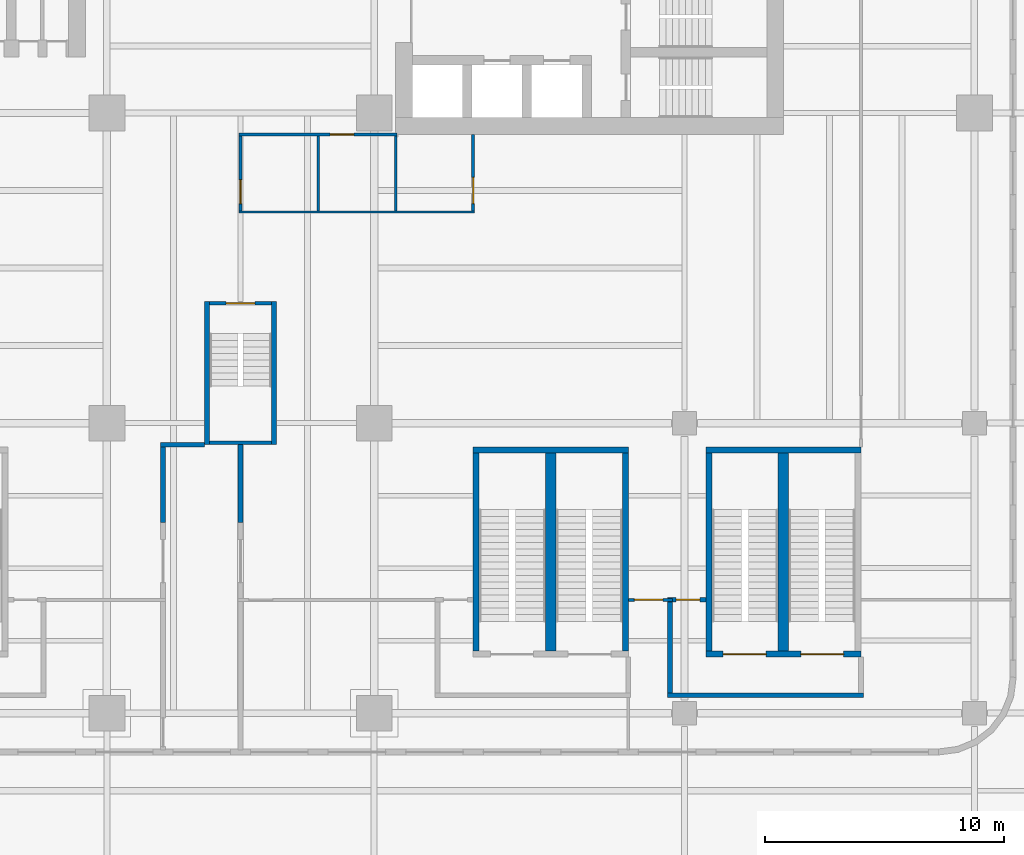
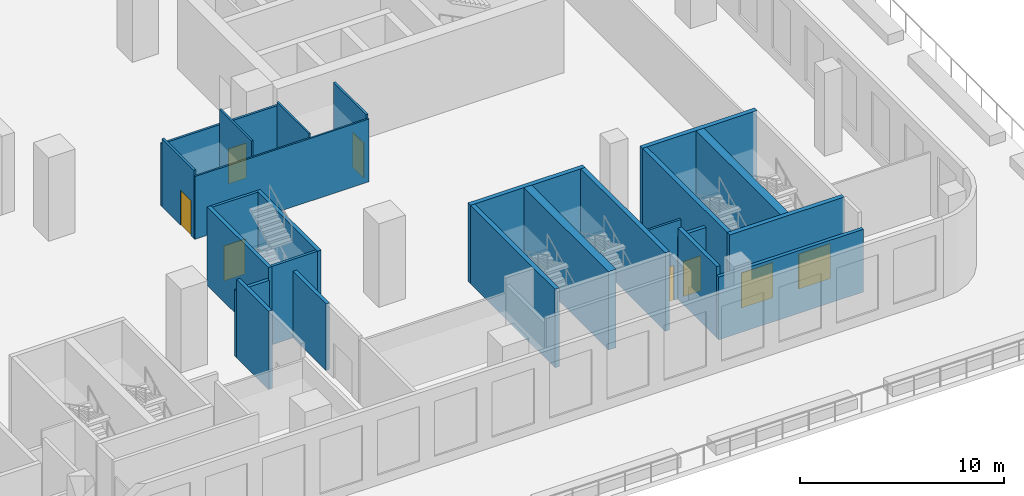
# One storey, part 7 of 17: 25 walls, 8 doors, 8 openings.
"""IFC4 building model written with IfcOpenShell, lengths in metres."""

from ifc_helpers import new_model, si_unit, direction, frame, frame_2d, origin, place, context, subcontext, project, spatial, rectangle, extrude, source, transform, mapped, material, layer, layer_set, type_object, element, fill, save


model = new_model("IFC4")

# Units and contexts
model_context = context("Model", 3, precision=1e-05, world=origin(), true_north=direction((0.0, 1.0)))
body_context = subcontext(model_context, "Body", "Model", "MODEL_VIEW")
ifc_project = project(units=[si_unit("LENGTHUNIT", "METRE"), si_unit("AREAUNIT", "SQUARE_METRE"), si_unit("VOLUMEUNIT", "CUBIC_METRE"), si_unit("PLANEANGLEUNIT", "RADIAN"), si_unit("MASSUNIT", "GRAM", prefix="KILO")], contexts=[model_context])

# Site, building, storey
site_placement = place(None, origin())
site = spatial("IfcSite", under=ifc_project, at=site_placement, CompositionType="ELEMENT")
building_placement = place(site_placement, origin())
building = spatial("IfcBuilding", under=site, at=building_placement, Name="Trellis Farm Tower", CompositionType="ELEMENT")
storey_placement = place(building_placement, frame((0.0, 0.0, 24.0)))
storey = spatial("IfcBuildingStorey", under=building, at=storey_placement, Name="L04", CompositionType="ELEMENT", Elevation=24.0)

# Walls
ifc_material_1 = material(Name="Concrete C80/95", Category="concrete")
ifc_layer_1 = layer(ifc_material_1, 0.199951171875)
ifc_layer_set_1 = layer_set([ifc_layer_1], Name="CORE STAIR ENCLOSURE WALL 200 CONCRETE C80/95")
wall_type_1 = type_object("IfcWallType", Name="CORE STAIR ENCLOSURE WALL 200 CONCRETE C80/95", PredefinedType="SHEAR", material=ifc_layer_set_1)
shared_shape_1 = source(origin(), body_context, "Body", "SweptSolid", [
    extrude(rectangle(XDim=6.0, YDim=0.199951171875, at=frame_2d((3.0, 0.0))), origin(), (0.0, 0.0, 1.0), 4.699951171875),
])
for number, where, z_axis, x_axis, name in (
    (1, (1.39990234375, -13.5, 0.0), (0.0, 0.0, 1.0), (0.0, -1.0, 0.0), "Stair enclosure wall"),
    (2, (-1.39990234375, -13.5, 0.0), (0.0, 0.0, 1.0), (0.0, -1.0, 0.0), "Stair enclosure wall"),
):
    element("IfcWall", number, at=place(storey_placement, frame(where, z_axis=z_axis, x_axis=x_axis)), inside=storey, type_object=wall_type_1, Name=name, PredefinedType="SHEAR", context=body_context, shape_type="MappedRepresentation", body=[
        mapped(shared_shape_1, transform((0.0, 0.0, 0.0))),
    ])

# Wall, opening, door
ifc_layer_2 = layer(ifc_material_1, 0.14990234375)
ifc_layer_set_2 = layer_set([ifc_layer_2], Name="CORE STAIR ENCLOSURE WALL 150 CONCRETE C80/95")
wall_type_2 = type_object("IfcWallType", Name="CORE STAIR ENCLOSURE WALL 150 CONCRETE C80/95", PredefinedType="SHEAR", material=ifc_layer_set_2)
shared_shape_2 = source(origin(), body_context, "Body", "SweptSolid", [
    extrude(rectangle(XDim=2.60009765625, YDim=0.14990234375, at=frame_2d((1.300048828125, 0.0))), origin(), (0.0, 0.0, 1.0), 4.699951171875),
])
wall_1_placement = place(storey_placement, frame((1.300048828125, -13.574951171875, 0.0), z_axis=(0.0, 0.0, 1.0), x_axis=(-1.0, 0.0, 0.0)))
wall_1 = element("IfcWall", 3, at=wall_1_placement, inside=storey, type_object=wall_type_2, Name="Stair enclosure wall", PredefinedType="SHEAR", context=body_context, shape_type="MappedRepresentation", body=[
    mapped(shared_shape_2, transform((0.0, 0.0, 0.0))),
])
shared_shape_3 = source(origin(), body_context, "Body", "SweptSolid", [
    extrude(rectangle(XDim=1.199951171875, YDim=2.10009765625, at=frame_2d((0.60009765625, 1.050048828125))), frame((0.0, 0.0849609375, 0.0), z_axis=(0.0, -1.0, 0.0), x_axis=(1.0, 0.0, 0.0)), (0.0, 0.0, 1.0), 0.169921875),
])
opening_1_placement = place(wall_1_placement, frame((0.699951171875, 0.0, 0.0)))
opening_1 = element("IfcOpeningElement", 4, at=opening_1_placement, cuts=wall_1, Name="Opening DC174", PredefinedType="OPENING", context=body_context, shape_type="MappedRepresentation", body=[
    mapped(shared_shape_3, transform((0.0, 0.0, 0.0))),
])
ifc_material_2 = material(Name="Steel", Category="steel")
door_type_1 = type_object("IfcDoorType", Name="CORE FIRE DOOR 1200 X 2100", OperationType="NOTDEFINED", PredefinedType="DOOR", material=ifc_material_2)
shared_shape_4 = source(origin(), body_context, "Body", "SweptSolid", [
    extrude(rectangle(XDim=1.199951171875, YDim=2.10009765625, at=frame_2d((0.60009765625, 1.050048828125))), frame((0.0, 0.02490234375, 0.0), z_axis=(0.0, -1.0, 0.0), x_axis=(1.0, 0.0, 0.0)), (0.0, 0.0, 1.0), 0.050048828125),
])
door_1_placement = place(opening_1_placement, origin())
door_1 = element("IfcDoor", 5, at=door_1_placement, inside=storey, type_object=door_type_1, Name="Core door", OperationType="SINGLE_SWING_RIGHT", OverallHeight=2.10009765625, OverallWidth=1.199951171875, PredefinedType="DOOR", context=body_context, shape_type="MappedRepresentation", body=[
    mapped(shared_shape_4, transform((0.0, 0.0, 0.0))),
])
fill(opening_1, door_1)

# Walls
wall_2_placement = place(storey_placement, frame((1.300048828125, -19.425048828125, 0.0), z_axis=(0.0, 0.0, 1.0), x_axis=(-1.0, 0.0, 0.0)))
element("IfcWall", 6, at=wall_2_placement, inside=storey, type_object=wall_type_2, Name="Stair enclosure wall", PredefinedType="SHEAR", context=body_context, shape_type="MappedRepresentation", body=[
    mapped(shared_shape_2, transform((0.0, 0.0, 0.0))),
])
ifc_layer_3 = layer(ifc_material_1, 0.25)
ifc_layer_set_3 = layer_set([ifc_layer_3], Name="CORE STAIR ENCLOSURE WALL 250 CONCRETE C80/95")
wall_type_3 = type_object("IfcWallType", Name="CORE STAIR ENCLOSURE WALL 250 CONCRETE C80/95", PredefinedType="SHEAR", material=ifc_layer_set_3)
shared_shape_5 = source(origin(), body_context, "Body", "SweptSolid", [
    extrude(rectangle(XDim=6.5, YDim=0.25, at=frame_2d((3.25, 0.0))), origin(), (0.0, 0.0, 1.0), 4.699951171875),
])
wall_3_placement = place(storey_placement, frame((9.75, -19.72509765625, 0.0), z_axis=(0.0, 0.0, 1.0), x_axis=(1.0, 0.0, 0.0)))
element("IfcWall", 7, at=wall_3_placement, inside=storey, type_object=wall_type_3, Name="Podium stair enclosure wall", PredefinedType="SHEAR", context=body_context, shape_type="MappedRepresentation", body=[
    mapped(shared_shape_5, transform((0.0, 0.0, 0.0))),
])

# Wall, openings, doors
wall_4_placement = place(storey_placement, frame((19.5, -28.27490234375, 0.0), z_axis=(0.0, 0.0, 1.0), x_axis=(1.0, 0.0, 0.0)))
wall_4 = element("IfcWall", 8, at=wall_4_placement, inside=storey, type_object=wall_type_3, Name="Podium stair enclosure wall", PredefinedType="SHEAR", context=body_context, shape_type="MappedRepresentation", body=[
    mapped(shared_shape_5, transform((0.0, 0.0, 0.0))),
])
shared_shape_6 = source(origin(), body_context, "Body", "SweptSolid", [
    extrude(rectangle(XDim=1.800048828125, YDim=2.10009765625, at=frame_2d((0.89990234375, 1.050048828125))), frame((0.0, 0.135009765625, 0.0), z_axis=(0.0, -1.0, 0.0), x_axis=(1.0, 0.0, 0.0)), (0.0, 0.0, 1.0), 0.27001953125),
])
opening_2_placement = place(wall_4_placement, frame((0.72509765625, 0.0, 0.0)))
opening_2 = element("IfcOpeningElement", 9, at=opening_2_placement, cuts=wall_4, Name="Opening DP15", PredefinedType="OPENING", context=body_context, shape_type="MappedRepresentation", body=[
    mapped(shared_shape_6, transform((0.0, 0.0, 0.0))),
])
opening_3_placement = place(wall_4_placement, frame((3.97509765625, 0.0, 0.0)))
opening_3 = element("IfcOpeningElement", 10, at=opening_3_placement, cuts=wall_4, Name="Opening DP16", PredefinedType="OPENING", context=body_context, shape_type="MappedRepresentation", body=[
    mapped(shared_shape_6, transform((0.0, 0.0, 0.0))),
])
door_type_2 = type_object("IfcDoorType", Name="CORE FIRE DOOR DOUBLE 1800 X 2100", OperationType="DOUBLE_DOOR_SINGLE_SWING", PredefinedType="DOOR", material=ifc_material_2)
shared_shape_7 = source(origin(), body_context, "Body", "SweptSolid", [
    extrude(rectangle(XDim=1.800048828125, YDim=2.10009765625, at=frame_2d((0.89990234375, 1.050048828125))), frame((0.0, 0.02490234375, 0.0), z_axis=(0.0, -1.0, 0.0), x_axis=(1.0, 0.0, 0.0)), (0.0, 0.0, 1.0), 0.050048828125),
])
door_2_placement = place(opening_2_placement, origin())
door_2 = element("IfcDoor", 11, at=door_2_placement, inside=storey, type_object=door_type_2, Name="Podium stair door", OperationType="DOUBLE_DOOR_SINGLE_SWING", OverallHeight=2.10009765625, OverallWidth=1.800048828125, PredefinedType="DOOR", context=body_context, shape_type="MappedRepresentation", body=[
    mapped(shared_shape_7, transform((0.0, 0.0, 0.0))),
])
fill(opening_2, door_2)
door_3_placement = place(opening_3_placement, origin())
door_3 = element("IfcDoor", 12, at=door_3_placement, inside=storey, type_object=door_type_2, Name="Podium stair door", OperationType="DOUBLE_DOOR_SINGLE_SWING", OverallHeight=2.10009765625, OverallWidth=1.800048828125, PredefinedType="DOOR", context=body_context, shape_type="MappedRepresentation", body=[
    mapped(shared_shape_7, transform((0.0, 0.0, 0.0))),
])
fill(opening_3, door_3)

# Walls
wall_5_placement = place(storey_placement, frame((19.5, -19.72509765625, 0.0), z_axis=(0.0, 0.0, 1.0), x_axis=(1.0, 0.0, 0.0)))
element("IfcWall", 13, at=wall_5_placement, inside=storey, type_object=wall_type_3, Name="Podium stair enclosure wall", PredefinedType="SHEAR", context=body_context, shape_type="MappedRepresentation", body=[
    mapped(shared_shape_5, transform((0.0, 0.0, 0.0))),
])
shared_shape_8 = source(origin(), body_context, "Body", "SweptSolid", [
    extrude(rectangle(XDim=8.2998046875, YDim=0.25, at=frame_2d((4.14990234375, 0.0))), origin(), (0.0, 0.0, 1.0), 4.699951171875),
])
for number, where, z_axis, x_axis, name in (
    (14, (9.875, -28.14990234375, 0.0), (0.0, 0.0, 1.0), (0.0, 1.0, 0.0), "Podium stair enclosure wall"),
    (15, (16.125, -28.14990234375, 0.0), (0.0, 0.0, 1.0), (0.0, 1.0, 0.0), "Podium stair enclosure wall"),
    (16, (19.625, -28.14990234375, 0.0), (0.0, 0.0, 1.0), (0.0, 1.0, 0.0), "Podium stair enclosure wall"),
):
    element("IfcWall", number, at=place(storey_placement, frame(where, z_axis=z_axis, x_axis=x_axis)), inside=storey, type_object=wall_type_3, Name=name, PredefinedType="SHEAR", context=body_context, shape_type="MappedRepresentation", body=[
        mapped(shared_shape_8, transform((0.0, 0.0, 0.0))),
    ])
ifc_layer_4 = layer(ifc_material_1, 0.43994140625)
ifc_layer_set_4 = layer_set([ifc_layer_4], Name="CORE STAIR ENCLOSURE WALL 440 CONCRETE C80/95")
wall_type_4 = type_object("IfcWallType", Name="CORE STAIR ENCLOSURE WALL 440 CONCRETE C80/95", PredefinedType="SHEAR", material=ifc_layer_set_4)
shared_shape_9 = source(origin(), body_context, "Body", "SweptSolid", [
    extrude(rectangle(XDim=8.2998046875, YDim=0.43994140625, at=frame_2d((4.14990234375, 0.0))), origin(), (0.0, 0.0, 1.0), 4.699951171875),
])
for number, where, z_axis, x_axis, name in (
    (17, (13.0, -28.14990234375, 0.0), (0.0, 0.0, 1.0), (0.0, 1.0, 0.0), "Podium stair enclosure wall"),
    (18, (22.75, -28.14990234375, 0.0), (0.0, 0.0, 1.0), (0.0, 1.0, 0.0), "Podium stair enclosure wall"),
):
    element("IfcWall", number, at=place(storey_placement, frame(where, z_axis=z_axis, x_axis=x_axis)), inside=storey, type_object=wall_type_4, Name=name, PredefinedType="SHEAR", context=body_context, shape_type="MappedRepresentation", body=[
        mapped(shared_shape_9, transform((0.0, 0.0, 0.0))),
    ])
ifc_material_3 = material(Name="Lightweight blockwork, plastered", Category="masonry")
ifc_layer_5 = layer(ifc_material_3, 0.199951171875)
ifc_layer_set_5 = layer_set([ifc_layer_5], Name="BLOCK WALL 200 EI 120")
wall_type_5 = type_object("IfcWallType", Name="BLOCK WALL 200 EI 120", PredefinedType="PARTITIONING", material=ifc_layer_set_5)
shared_shape_10 = source(origin(), body_context, "Body", "SweptSolid", [
    extrude(rectangle(XDim=8.2001953125, YDim=0.199951171875, at=frame_2d((4.10009765625, 0.0))), origin(), (0.0, 0.0, 1.0), 3.76171875),
])
wall_6_placement = place(storey_placement, frame((17.89990234375, -30.0, 0.0), z_axis=(0.0, 0.0, 1.0), x_axis=(1.0, 0.0, 0.0)))
element("IfcWall", 19, at=wall_6_placement, inside=storey, type_object=wall_type_5, Name="Partition PW3", PredefinedType="PARTITIONING", context=body_context, shape_type="MappedRepresentation", body=[
    mapped(shared_shape_10, transform((0.0, 0.0, 0.0))),
])

# Wall, opening, door
shared_shape_11 = source(origin(), body_context, "Body", "SweptSolid", [
    extrude(rectangle(XDim=1.60009765625, YDim=0.199951171875, at=frame_2d((0.800048828125, 0.0))), origin(), (0.0, 0.0, 1.0), 3.76171875),
])
wall_7_placement = place(storey_placement, frame((17.89990234375, -26.0, 0.0), z_axis=(0.0, 0.0, 1.0), x_axis=(1.0, 0.0, 0.0)))
wall_7 = element("IfcWall", 20, at=wall_7_placement, inside=storey, type_object=wall_type_5, Name="Partition PW3", PredefinedType="PARTITIONING", context=body_context, shape_type="MappedRepresentation", body=[
    mapped(shared_shape_11, transform((0.0, 0.0, 0.0))),
])
shared_shape_12 = source(origin(), body_context, "Body", "SweptSolid", [
    extrude(rectangle(XDim=1.0, YDim=2.10009765625, at=frame_2d((0.5, 1.050048828125))), frame((0.0, 0.110107421875, 0.0), z_axis=(0.0, -1.0, 0.0), x_axis=(1.0, 0.0, 0.0)), (0.0, 0.0, 1.0), 0.22021484375),
])
opening_4_placement = place(wall_7_placement, frame((0.35009765625, 0.0, 0.0)))
opening_4 = element("IfcOpeningElement", 21, at=opening_4_placement, cuts=wall_7, Name="Opening D304", PredefinedType="OPENING", context=body_context, shape_type="MappedRepresentation", body=[
    mapped(shared_shape_12, transform((0.0, 0.0, 0.0))),
])
ifc_material_4 = material(Name="Fire-rated timber door leaf in a hollow metal frame", Category="wood")
door_type_3 = type_object("IfcDoorType", Name="DOOR 1000x2100 FD60", OperationType="NOTDEFINED", PredefinedType="DOOR", material=ifc_material_4)
shared_shape_13 = source(origin(), body_context, "Body", "SweptSolid", [
    extrude(rectangle(XDim=1.0, YDim=2.10009765625, at=frame_2d((0.5, 1.050048828125))), frame((0.0, 0.02490234375, 0.0), z_axis=(0.0, -1.0, 0.0), x_axis=(1.0, 0.0, 0.0)), (0.0, 0.0, 1.0), 0.050048828125),
])
door_4_placement = place(opening_4_placement, origin())
door_4 = element("IfcDoor", 22, at=door_4_placement, inside=storey, type_object=door_type_3, Name="Door D304", OperationType="SINGLE_SWING_LEFT", OverallHeight=2.10009765625, OverallWidth=1.0, PredefinedType="DOOR", context=body_context, shape_type="MappedRepresentation", body=[
    mapped(shared_shape_13, transform((0.0, 0.0, 0.0))),
])
fill(opening_4, door_4)

# Wall
shared_shape_14 = source(origin(), body_context, "Body", "SweptSolid", [
    extrude(rectangle(XDim=1.85009765625, YDim=0.199951171875, at=frame_2d((0.925048828125, 0.0))), origin(), (0.0, 0.0, 1.0), 3.996337890625),
])
wall_8_placement = place(storey_placement, frame((-3.35009765625, -19.5, 0.0), z_axis=(0.0, 0.0, 1.0), x_axis=(1.0, 0.0, 0.0)))
element("IfcWall", 23, at=wall_8_placement, inside=storey, type_object=wall_type_5, Name="Partition PW3", PredefinedType="PARTITIONING", context=body_context, shape_type="MappedRepresentation", body=[
    mapped(shared_shape_14, transform((0.0, 0.0, 0.0))),
])

# Wall, opening, door
ifc_material_5 = material(Name="Plasterboard on steel studs, mineral wool", Category="steel")
ifc_layer_6 = layer(ifc_material_5, 0.125)
ifc_layer_set_6 = layer_set([ifc_layer_6], Name="PARTITION 125 STUD EI 60")
wall_type_6 = type_object("IfcWallType", Name="PARTITION 125 STUD EI 60", PredefinedType="PARTITIONING", material=ifc_layer_set_6)
shared_shape_15 = source(origin(), body_context, "Body", "SweptSolid", [
    extrude(rectangle(XDim=3.137451171875, YDim=0.125, at=frame_2d((1.56884765625, 0.0))), origin(), (0.0, 0.0, 1.0), 4.077392578125),
])
wall_9_placement = place(storey_placement, frame((0.0, -6.5625, 0.0), z_axis=(0.0, 0.0, 1.0), x_axis=(0.0, -1.0, 0.0)))
wall_9 = element("IfcWall", 24, at=wall_9_placement, inside=storey, type_object=wall_type_6, Name="Partition PW1", PredefinedType="PARTITIONING", context=body_context, shape_type="MappedRepresentation", body=[
    mapped(shared_shape_15, transform((0.0, 0.0, 0.0))),
])
shared_shape_16 = source(origin(), body_context, "Body", "SweptSolid", [
    extrude(rectangle(XDim=1.0, YDim=2.10009765625, at=frame_2d((0.5, 1.050048828125))), frame((0.0, 0.072509765625, 0.0), z_axis=(0.0, -1.0, 0.0), x_axis=(1.0, 0.0, 0.0)), (0.0, 0.0, 1.0), 0.14501953125),
])
opening_5_placement = place(wall_9_placement, frame((1.83740234375, 0.0, 0.0)))
opening_5 = element("IfcOpeningElement", 25, at=opening_5_placement, cuts=wall_9, Name="Opening D102", PredefinedType="OPENING", context=body_context, shape_type="MappedRepresentation", body=[
    mapped(shared_shape_16, transform((0.0, 0.0, 0.0))),
])
door_type_4 = type_object("IfcDoorType", Name="DOOR 1000x2100 FD30S", OperationType="NOTDEFINED", PredefinedType="DOOR", material=ifc_material_4)
door_5_placement = place(opening_5_placement, origin())
door_5 = element("IfcDoor", 26, at=door_5_placement, inside=storey, type_object=door_type_4, Name="Door D102", OperationType="SINGLE_SWING_RIGHT", OverallHeight=2.10009765625, OverallWidth=1.0, PredefinedType="DOOR", context=body_context, shape_type="MappedRepresentation", body=[
    mapped(shared_shape_13, transform((0.0, 0.0, 0.0))),
])
fill(opening_5, door_5)

# Walls
ifc_material_6 = material(Name="Plasterboard on steel studs", Category="steel")
ifc_layer_7 = layer(ifc_material_6, 0.10009765625)
ifc_layer_set_7 = layer_set([ifc_layer_7], Name="PARTITION 100 STUD EI 30")
wall_type_7 = type_object("IfcWallType", Name="PARTITION 100 STUD EI 30", PredefinedType="PARTITIONING", material=ifc_layer_set_7)
shared_shape_17 = source(origin(), body_context, "Body", "SweptSolid", [
    extrude(rectangle(XDim=3.137451171875, YDim=0.10009765625, at=frame_2d((1.56884765625, 0.0))), origin(), (0.0, 0.0, 1.0), 4.699951171875),
])
wall_10_placement = place(storey_placement, frame((3.25, -9.699951171875, 0.0), z_axis=(0.0, 0.0, 1.0), x_axis=(0.0, 1.0, 0.0)))
element("IfcWall", 27, at=wall_10_placement, inside=storey, type_object=wall_type_7, Name="Partition PW2", PredefinedType="PARTITIONING", context=body_context, shape_type="MappedRepresentation", body=[
    mapped(shared_shape_17, transform((0.0, 0.0, 0.0))),
])
shared_shape_18 = source(origin(), body_context, "Body", "SweptSolid", [
    extrude(rectangle(XDim=3.137451171875, YDim=0.10009765625, at=frame_2d((1.56884765625, 0.0))), origin(), (0.0, 0.0, 1.0), 3.996337890625),
])
wall_11_placement = place(storey_placement, frame((6.5, -9.699951171875, 0.0), z_axis=(0.0, 0.0, 1.0), x_axis=(0.0, 1.0, 0.0)))
element("IfcWall", 28, at=wall_11_placement, inside=storey, type_object=wall_type_7, Name="Partition PW2", PredefinedType="PARTITIONING", context=body_context, shape_type="MappedRepresentation", body=[
    mapped(shared_shape_18, transform((0.0, 0.0, 0.0))),
])

# Wall, opening, door
shared_shape_19 = source(origin(), body_context, "Body", "SweptSolid", [
    extrude(rectangle(XDim=3.199951171875, YDim=0.125, at=frame_2d((1.60009765625, 0.0))), origin(), (0.0, 0.0, 1.0), 3.996337890625),
])
wall_12_placement = place(storey_placement, frame((9.75, -9.699951171875, 0.0), z_axis=(0.0, 0.0, 1.0), x_axis=(0.0, 1.0, 0.0)))
wall_12 = element("IfcWall", 29, at=wall_12_placement, inside=storey, type_object=wall_type_6, Name="Partition PW1", PredefinedType="PARTITIONING", context=body_context, shape_type="MappedRepresentation", body=[
    mapped(shared_shape_19, transform((0.0, 0.0, 0.0))),
])
shared_shape_20 = source(origin(), body_context, "Body", "SweptSolid", [
    extrude(rectangle(XDim=1.10009765625, YDim=2.10009765625, at=frame_2d((0.550048828125, 1.050048828125))), frame((0.0, 0.072509765625, 0.0), z_axis=(0.0, -1.0, 0.0), x_axis=(1.0, 0.0, 0.0)), (0.0, 0.0, 1.0), 0.14501953125),
])
opening_6_placement = place(wall_12_placement, frame((0.300048828125, 0.0, 0.0)))
opening_6 = element("IfcOpeningElement", 30, at=opening_6_placement, cuts=wall_12, Name="Opening D501", PredefinedType="OPENING", context=body_context, shape_type="MappedRepresentation", body=[
    mapped(shared_shape_20, transform((0.0, 0.0, 0.0))),
])
door_type_5 = type_object("IfcDoorType", Name="DOOR 1100x2100 FD30S", OperationType="NOTDEFINED", PredefinedType="DOOR", material=ifc_material_4)
shared_shape_21 = source(origin(), body_context, "Body", "SweptSolid", [
    extrude(rectangle(XDim=1.10009765625, YDim=2.10009765625, at=frame_2d((0.550048828125, 1.050048828125))), frame((0.0, 0.02490234375, 0.0), z_axis=(0.0, -1.0, 0.0), x_axis=(1.0, 0.0, 0.0)), (0.0, 0.0, 1.0), 0.050048828125),
])
door_6_placement = place(opening_6_placement, origin())
door_6 = element("IfcDoor", 31, at=door_6_placement, inside=storey, type_object=door_type_5, Name="Door D501", OperationType="SINGLE_SWING_LEFT", OverallHeight=2.10009765625, OverallWidth=1.10009765625, PredefinedType="DOOR", context=body_context, shape_type="MappedRepresentation", body=[
    mapped(shared_shape_21, transform((0.0, 0.0, 0.0))),
])
fill(opening_6, door_6)

# Wall
shared_shape_22 = source(origin(), body_context, "Body", "SweptSolid", [
    extrude(rectangle(XDim=9.875, YDim=0.10009765625, at=frame_2d((4.9375, 0.0))), origin(), (0.0, 0.0, 1.0), 3.76171875),
])
wall_13_placement = place(storey_placement, frame((-0.0625, -9.75, 0.0), z_axis=(0.0, 0.0, 1.0), x_axis=(1.0, 0.0, 0.0)))
element("IfcWall", 32, at=wall_13_placement, inside=storey, type_object=wall_type_7, Name="Partition PW2", PredefinedType="PARTITIONING", context=body_context, shape_type="MappedRepresentation", body=[
    mapped(shared_shape_22, transform((0.0, 0.0, 0.0))),
])

# Wall, opening, door
shared_shape_23 = source(origin(), body_context, "Body", "SweptSolid", [
    extrude(rectangle(XDim=6.612548828125, YDim=0.125, at=frame_2d((3.30615234375, 0.0))), origin(), (0.0, 0.0, 1.0), 3.76171875),
])
wall_14_placement = place(storey_placement, frame((6.550048828125, -6.5, 0.0), z_axis=(0.0, 0.0, 1.0), x_axis=(-1.0, 0.0, 0.0)))
wall_14 = element("IfcWall", 33, at=wall_14_placement, inside=storey, type_object=wall_type_6, Name="Partition PW1", PredefinedType="PARTITIONING", context=body_context, shape_type="MappedRepresentation", body=[
    mapped(shared_shape_23, transform((0.0, 0.0, 0.0))),
])
opening_7_placement = place(wall_14_placement, frame((1.800048828125, 0.0, 0.0)))
opening_7 = element("IfcOpeningElement", 34, at=opening_7_placement, cuts=wall_14, Name="Opening D103", PredefinedType="OPENING", context=body_context, shape_type="MappedRepresentation", body=[
    mapped(shared_shape_16, transform((0.0, 0.0, 0.0))),
])
door_7_placement = place(opening_7_placement, origin())
door_7 = element("IfcDoor", 35, at=door_7_placement, inside=storey, type_object=door_type_4, Name="Door D103", OperationType="SINGLE_SWING_LEFT", OverallHeight=2.10009765625, OverallWidth=1.0, PredefinedType="DOOR", context=body_context, shape_type="MappedRepresentation", body=[
    mapped(shared_shape_13, transform((0.0, 0.0, 0.0))),
])
fill(opening_7, door_7)

# Walls
shared_shape_24 = source(origin(), body_context, "Body", "SweptSolid", [
    extrude(rectangle(XDim=3.7998046875, YDim=0.199951171875, at=frame_2d((1.89990234375, 0.0))), origin(), (0.0, 0.0, 1.0), 4.273681640625),
])
wall_15_placement = place(storey_placement, frame((18.0, -26.10009765625, 0.0), z_axis=(0.0, 0.0, 1.0), x_axis=(0.0, -1.0, 0.0)))
element("IfcWall", 36, at=wall_15_placement, inside=storey, type_object=wall_type_5, Name="Partition PW3", PredefinedType="PARTITIONING", context=body_context, shape_type="MappedRepresentation", body=[
    mapped(shared_shape_24, transform((0.0, 0.0, 0.0))),
])
shared_shape_25 = source(origin(), body_context, "Body", "SweptSolid", [
    extrude(rectangle(XDim=3.14990234375, YDim=0.199951171875, at=frame_2d((1.574951171875, 0.0))), origin(), (0.0, 0.0, 1.0), 4.699951171875),
])
wall_16_placement = place(storey_placement, frame((-3.25, -22.75, 0.0), z_axis=(0.0, 0.0, 1.0), x_axis=(0.0, 1.0, 0.0)))
element("IfcWall", 37, at=wall_16_placement, inside=storey, type_object=wall_type_5, Name="Partition PW3", PredefinedType="PARTITIONING", context=body_context, shape_type="MappedRepresentation", body=[
    mapped(shared_shape_25, transform((0.0, 0.0, 0.0))),
])
shared_shape_26 = source(origin(), body_context, "Body", "SweptSolid", [
    extrude(rectangle(XDim=3.25, YDim=0.199951171875, at=frame_2d((1.625, 0.0))), origin(), (0.0, 0.0, 1.0), 3.996337890625),
])
wall_17_placement = place(storey_placement, frame((0.0, -22.75, 0.0), z_axis=(0.0, 0.0, 1.0), x_axis=(0.0, 1.0, 0.0)))
element("IfcWall", 38, at=wall_17_placement, inside=storey, type_object=wall_type_5, Name="Partition PW3", PredefinedType="PARTITIONING", context=body_context, shape_type="MappedRepresentation", body=[
    mapped(shared_shape_26, transform((0.0, 0.0, 0.0))),
])

# Wall, opening, door
shared_shape_27 = source(origin(), body_context, "Body", "SweptSolid", [
    extrude(rectangle(XDim=1.85009765625, YDim=0.125, at=frame_2d((0.925048828125, 0.0))), origin(), (0.0, 0.0, 1.0), 4.699951171875),
])
wall_18_placement = place(storey_placement, frame((18.10009765625, -26.0, 0.0), z_axis=(0.0, 0.0, 1.0), x_axis=(-1.0, 0.0, 0.0)))
wall_18 = element("IfcWall", 39, at=wall_18_placement, inside=storey, type_object=wall_type_6, Name="Partition PW1", PredefinedType="PARTITIONING", context=body_context, shape_type="MappedRepresentation", body=[
    mapped(shared_shape_27, transform((0.0, 0.0, 0.0))),
])
shared_shape_28 = source(origin(), body_context, "Body", "SweptSolid", [
    extrude(rectangle(XDim=1.199951171875, YDim=2.10009765625, at=frame_2d((0.60009765625, 1.050048828125))), frame((0.0, 0.072509765625, 0.0), z_axis=(0.0, -1.0, 0.0), x_axis=(1.0, 0.0, 0.0)), (0.0, 0.0, 1.0), 0.14501953125),
])
opening_8_placement = place(wall_18_placement, frame((0.39990234375, 0.0, 0.0)))
opening_8 = element("IfcOpeningElement", 40, at=opening_8_placement, cuts=wall_18, Name="Opening D603", PredefinedType="OPENING", context=body_context, shape_type="MappedRepresentation", body=[
    mapped(shared_shape_28, transform((0.0, 0.0, 0.0))),
])
door_type_6 = type_object("IfcDoorType", Name="DOOR 1200x2100 FD30S", OperationType="NOTDEFINED", PredefinedType="DOOR", material=ifc_material_4)
door_8_placement = place(opening_8_placement, origin())
door_8 = element("IfcDoor", 41, at=door_8_placement, inside=storey, type_object=door_type_6, Name="Door D603", OperationType="SINGLE_SWING_RIGHT", OverallHeight=2.10009765625, OverallWidth=1.199951171875, PredefinedType="DOOR", context=body_context, shape_type="MappedRepresentation", body=[
    mapped(shared_shape_4, transform((0.0, 0.0, 0.0))),
])
fill(opening_8, door_8)

save(model, "model.ifc")
